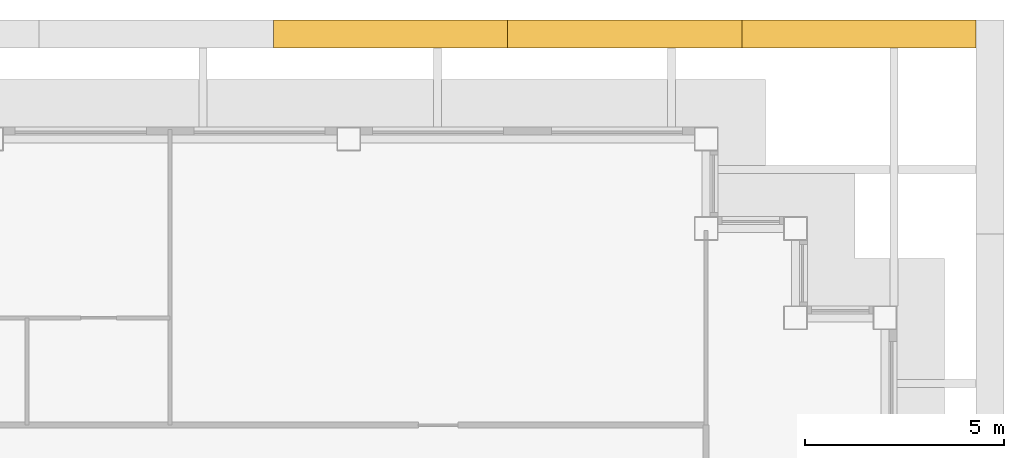
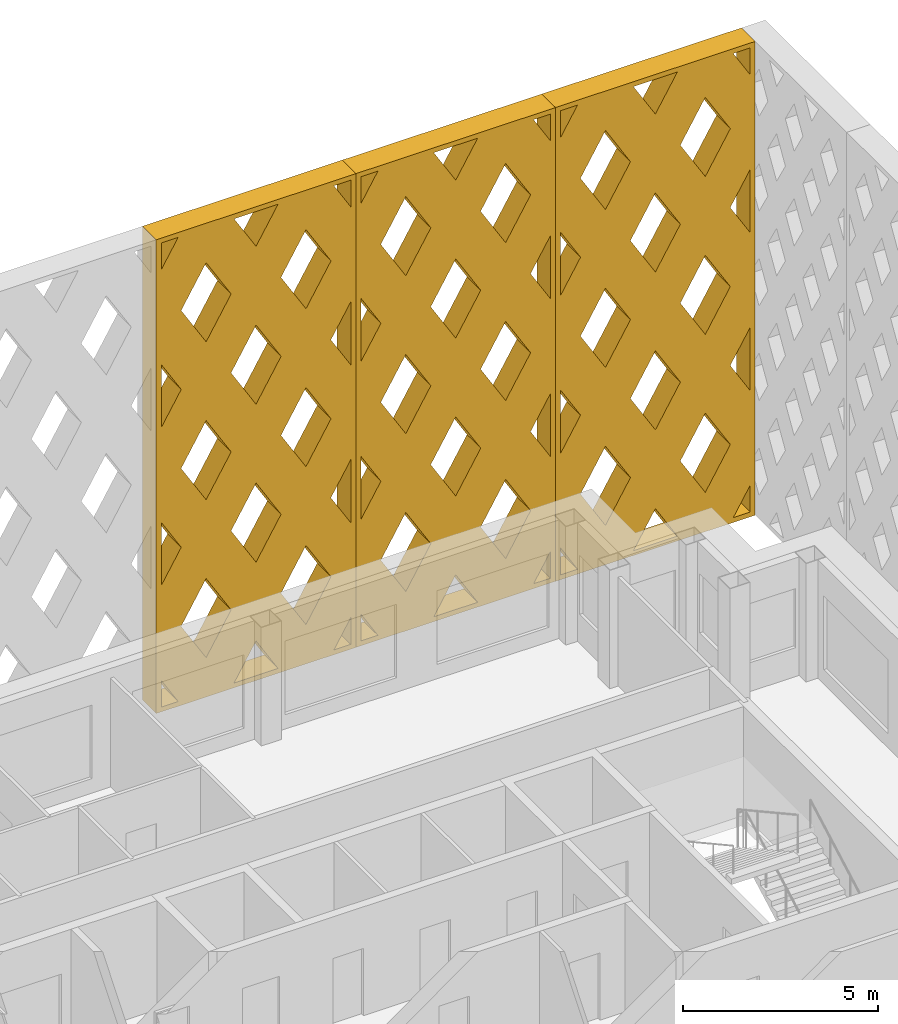
# One storey, part 15 of 15: 3 shading devices.
"""IFC4 building model written with IfcOpenShell, lengths in metres."""

from ifc_helpers import new_model, si_unit, direction, frame, origin, place, context, subcontext, project, spatial, polyline, outline, extrude, material, type_object, element, save


model = new_model("IFC4")

# Units and contexts
model_context = context("Model", 3, precision=1e-05, world=origin(), true_north=direction((0.0, 1.0)))
body_context = subcontext(model_context, "Body", "Model", "MODEL_VIEW")
ifc_project = project(units=[si_unit("LENGTHUNIT", "METRE"), si_unit("AREAUNIT", "SQUARE_METRE"), si_unit("VOLUMEUNIT", "CUBIC_METRE"), si_unit("PLANEANGLEUNIT", "RADIAN"), si_unit("MASSUNIT", "GRAM", prefix="KILO")], contexts=[model_context])

# Site, building, storey
site_placement = place(None, origin())
site = spatial("IfcSite", under=ifc_project, at=site_placement, CompositionType="ELEMENT")
building_placement = place(site_placement, origin())
building = spatial("IfcBuilding", under=site, at=building_placement, Name="Caravel Reach Hotel and Residences", CompositionType="ELEMENT")
storey_placement = place(building_placement, frame((0.0, 0.0, 252.699951171875)))
storey = spatial("IfcBuildingStorey", under=building, at=storey_placement, Name="L64", CompositionType="ELEMENT", Elevation=252.699951171875)

# Shading devices
ifc_material = material(Name="Black powder-coated aluminium", Category="aluminium")
shading_device_type = type_object("IfcShadingDeviceType", Name="Diamond lattice screen panel 5900 x 14800", PredefinedType="USERDEFINED", material=ifc_material)
shading_device_1_placement = place(storey_placement, frame((51.800048828125, 42.800048828125, 0.0), z_axis=(0.0, 1.0, 0.0), x_axis=(-1.0, 0.0, 0.0)))
element("IfcShadingDevice", 1, at=shading_device_1_placement, inside=storey, type_object=shading_device_type, Name="Lattice screen L64-L67 5.1", ObjectType="SCREEN", PredefinedType="USERDEFINED", context=body_context, shape_type="SweptSolid", body=[
    extrude(outline(polyline([(0.0, 0.0), (5.89990234375, 0.0), (5.89990234375, 14.800048828125), (0.0, 14.800048828125), (0.0, 0.0)]), holes=[polyline([(0.64990234375, 0.14990234375), (0.14990234375, 0.986083984375), (0.14990234375, 0.14990234375), (0.64990234375, 0.14990234375)]), polyline([(0.739501953125, 4.933349609375), (0.14990234375, 5.91943359375), (0.14990234375, 3.947265625), (0.739501953125, 4.933349609375)]), polyline([(0.739501953125, 9.86669921875), (0.14990234375, 10.852783203125), (0.14990234375, 8.880615234375), (0.739501953125, 9.86669921875)]), polyline([(0.14990234375, 13.81396484375), (0.64990234375, 14.64990234375), (0.14990234375, 14.64990234375), (0.14990234375, 13.81396484375)]), polyline([(1.47509765625, 3.70361328125), (0.7353515625, 2.466552734375), (1.47509765625, 1.229736328125), (2.214599609375, 2.466552734375), (1.47509765625, 3.70361328125)]), polyline([(1.47509765625, 8.636962890625), (0.7353515625, 7.39990234375), (1.47509765625, 6.1630859375), (2.214599609375, 7.39990234375), (1.47509765625, 8.636962890625)]), polyline([(1.47509765625, 13.570068359375), (0.7353515625, 12.333251953125), (1.47509765625, 11.096435546875), (2.214599609375, 12.333251953125), (1.47509765625, 13.570068359375)]), polyline([(2.949951171875, 1.23681640625), (2.300048828125, 0.14990234375), (3.599853515625, 0.14990234375), (2.949951171875, 1.23681640625)]), polyline([(2.949951171875, 6.170166015625), (2.21044921875, 4.933349609375), (2.949951171875, 3.696533203125), (3.689697265625, 4.933349609375), (2.949951171875, 6.170166015625)]), polyline([(2.949951171875, 11.103515625), (2.21044921875, 9.86669921875), (2.949951171875, 8.6298828125), (3.689697265625, 9.86669921875), (2.949951171875, 11.103515625)]), polyline([(2.949951171875, 13.563232421875), (3.599853515625, 14.64990234375), (2.300048828125, 14.64990234375), (2.949951171875, 13.563232421875)]), polyline([(4.425048828125, 3.70361328125), (3.685302734375, 2.466552734375), (4.425048828125, 1.229736328125), (5.16455078125, 2.466552734375), (4.425048828125, 3.70361328125)]), polyline([(4.425048828125, 8.636962890625), (3.685302734375, 7.39990234375), (4.425048828125, 6.1630859375), (5.16455078125, 7.39990234375), (4.425048828125, 8.636962890625)]), polyline([(4.425048828125, 13.570068359375), (3.685302734375, 12.333251953125), (4.425048828125, 11.096435546875), (5.16455078125, 12.333251953125), (4.425048828125, 13.570068359375)]), polyline([(5.75, 0.986083984375), (5.25, 0.14990234375), (5.75, 0.14990234375), (5.75, 0.986083984375)]), polyline([(5.160400390625, 4.933349609375), (5.75, 3.947265625), (5.75, 5.91943359375), (5.160400390625, 4.933349609375)]), polyline([(5.160400390625, 9.86669921875), (5.75, 8.880615234375), (5.75, 10.852783203125), (5.160400390625, 9.86669921875)]), polyline([(5.25, 14.64990234375), (5.75, 13.81396484375), (5.75, 14.64990234375), (5.25, 14.64990234375)])]), origin(), (0.0, 0.0, 1.0), 0.699951171875),
])
shading_device_2_placement = place(storey_placement, frame((45.89990234375, 42.800048828125, 0.0), z_axis=(0.0, 1.0, 0.0), x_axis=(-1.0, 0.0, 0.0)))
element("IfcShadingDevice", 2, at=shading_device_2_placement, inside=storey, type_object=shading_device_type, Name="Lattice screen L64-L67 5.2", ObjectType="SCREEN", PredefinedType="USERDEFINED", context=body_context, shape_type="SweptSolid", body=[
    extrude(outline(polyline([(0.0, 0.0), (5.89990234375, 0.0), (5.89990234375, 14.800048828125), (0.0, 14.800048828125), (0.0, 0.0)]), holes=[polyline([(0.64990234375, 0.14990234375), (0.14990234375, 0.986083984375), (0.14990234375, 0.14990234375), (0.64990234375, 0.14990234375)]), polyline([(0.739501953125, 4.933349609375), (0.14990234375, 5.91943359375), (0.14990234375, 3.947265625), (0.739501953125, 4.933349609375)]), polyline([(0.739501953125, 9.86669921875), (0.14990234375, 10.852783203125), (0.14990234375, 8.880615234375), (0.739501953125, 9.86669921875)]), polyline([(0.14990234375, 13.81396484375), (0.64990234375, 14.64990234375), (0.14990234375, 14.64990234375), (0.14990234375, 13.81396484375)]), polyline([(1.47509765625, 3.70361328125), (0.7353515625, 2.466552734375), (1.47509765625, 1.229736328125), (2.214599609375, 2.466552734375), (1.47509765625, 3.70361328125)]), polyline([(1.47509765625, 8.636962890625), (0.7353515625, 7.39990234375), (1.47509765625, 6.1630859375), (2.214599609375, 7.39990234375), (1.47509765625, 8.636962890625)]), polyline([(1.47509765625, 13.570068359375), (0.7353515625, 12.333251953125), (1.47509765625, 11.096435546875), (2.214599609375, 12.333251953125), (1.47509765625, 13.570068359375)]), polyline([(2.949951171875, 1.23681640625), (2.300048828125, 0.14990234375), (3.599853515625, 0.14990234375), (2.949951171875, 1.23681640625)]), polyline([(2.949951171875, 6.170166015625), (2.21044921875, 4.933349609375), (2.949951171875, 3.696533203125), (3.689697265625, 4.933349609375), (2.949951171875, 6.170166015625)]), polyline([(2.949951171875, 11.103515625), (2.21044921875, 9.86669921875), (2.949951171875, 8.6298828125), (3.689697265625, 9.86669921875), (2.949951171875, 11.103515625)]), polyline([(2.949951171875, 13.563232421875), (3.599853515625, 14.64990234375), (2.300048828125, 14.64990234375), (2.949951171875, 13.563232421875)]), polyline([(4.425048828125, 3.70361328125), (3.685302734375, 2.466552734375), (4.425048828125, 1.229736328125), (5.16455078125, 2.466552734375), (4.425048828125, 3.70361328125)]), polyline([(4.425048828125, 8.636962890625), (3.685302734375, 7.39990234375), (4.425048828125, 6.1630859375), (5.16455078125, 7.39990234375), (4.425048828125, 8.636962890625)]), polyline([(4.425048828125, 13.570068359375), (3.685302734375, 12.333251953125), (4.425048828125, 11.096435546875), (5.16455078125, 12.333251953125), (4.425048828125, 13.570068359375)]), polyline([(5.75, 0.986083984375), (5.25, 0.14990234375), (5.75, 0.14990234375), (5.75, 0.986083984375)]), polyline([(5.160400390625, 4.933349609375), (5.75, 3.947265625), (5.75, 5.91943359375), (5.160400390625, 4.933349609375)]), polyline([(5.160400390625, 9.86669921875), (5.75, 8.880615234375), (5.75, 10.852783203125), (5.160400390625, 9.86669921875)]), polyline([(5.25, 14.64990234375), (5.75, 13.81396484375), (5.75, 14.64990234375), (5.25, 14.64990234375)])]), origin(), (0.0, 0.0, 1.0), 0.699951171875),
])
shading_device_3_placement = place(storey_placement, frame((40.0, 42.800048828125, 0.0), z_axis=(0.0, 1.0, 0.0), x_axis=(-1.0, 0.0, 0.0)))
element("IfcShadingDevice", 3, at=shading_device_3_placement, inside=storey, type_object=shading_device_type, Name="Lattice screen L64-L67 5.3", ObjectType="SCREEN", PredefinedType="USERDEFINED", context=body_context, shape_type="SweptSolid", body=[
    extrude(outline(polyline([(0.0, 0.0), (5.89990234375, 0.0), (5.89990234375, 14.800048828125), (0.0, 14.800048828125), (0.0, 0.0)]), holes=[polyline([(0.64990234375, 0.14990234375), (0.14990234375, 0.986083984375), (0.14990234375, 0.14990234375), (0.64990234375, 0.14990234375)]), polyline([(0.739501953125, 4.933349609375), (0.14990234375, 5.91943359375), (0.14990234375, 3.947265625), (0.739501953125, 4.933349609375)]), polyline([(0.739501953125, 9.86669921875), (0.14990234375, 10.852783203125), (0.14990234375, 8.880615234375), (0.739501953125, 9.86669921875)]), polyline([(0.14990234375, 13.81396484375), (0.64990234375, 14.64990234375), (0.14990234375, 14.64990234375), (0.14990234375, 13.81396484375)]), polyline([(1.47509765625, 3.70361328125), (0.7353515625, 2.466552734375), (1.47509765625, 1.229736328125), (2.214599609375, 2.466552734375), (1.47509765625, 3.70361328125)]), polyline([(1.47509765625, 8.636962890625), (0.7353515625, 7.39990234375), (1.47509765625, 6.1630859375), (2.214599609375, 7.39990234375), (1.47509765625, 8.636962890625)]), polyline([(1.47509765625, 13.570068359375), (0.7353515625, 12.333251953125), (1.47509765625, 11.096435546875), (2.214599609375, 12.333251953125), (1.47509765625, 13.570068359375)]), polyline([(2.949951171875, 1.23681640625), (2.300048828125, 0.14990234375), (3.599853515625, 0.14990234375), (2.949951171875, 1.23681640625)]), polyline([(2.949951171875, 6.170166015625), (2.21044921875, 4.933349609375), (2.949951171875, 3.696533203125), (3.689697265625, 4.933349609375), (2.949951171875, 6.170166015625)]), polyline([(2.949951171875, 11.103515625), (2.21044921875, 9.86669921875), (2.949951171875, 8.6298828125), (3.689697265625, 9.86669921875), (2.949951171875, 11.103515625)]), polyline([(2.949951171875, 13.563232421875), (3.599853515625, 14.64990234375), (2.300048828125, 14.64990234375), (2.949951171875, 13.563232421875)]), polyline([(4.425048828125, 3.70361328125), (3.685302734375, 2.466552734375), (4.425048828125, 1.229736328125), (5.16455078125, 2.466552734375), (4.425048828125, 3.70361328125)]), polyline([(4.425048828125, 8.636962890625), (3.685302734375, 7.39990234375), (4.425048828125, 6.1630859375), (5.16455078125, 7.39990234375), (4.425048828125, 8.636962890625)]), polyline([(4.425048828125, 13.570068359375), (3.685302734375, 12.333251953125), (4.425048828125, 11.096435546875), (5.16455078125, 12.333251953125), (4.425048828125, 13.570068359375)]), polyline([(5.75, 0.986083984375), (5.25, 0.14990234375), (5.75, 0.14990234375), (5.75, 0.986083984375)]), polyline([(5.160400390625, 4.933349609375), (5.75, 3.947265625), (5.75, 5.91943359375), (5.160400390625, 4.933349609375)]), polyline([(5.160400390625, 9.86669921875), (5.75, 8.880615234375), (5.75, 10.852783203125), (5.160400390625, 9.86669921875)]), polyline([(5.25, 14.64990234375), (5.75, 13.81396484375), (5.75, 14.64990234375), (5.25, 14.64990234375)])]), origin(), (0.0, 0.0, 1.0), 0.699951171875),
])

save(model, "model.ifc")
